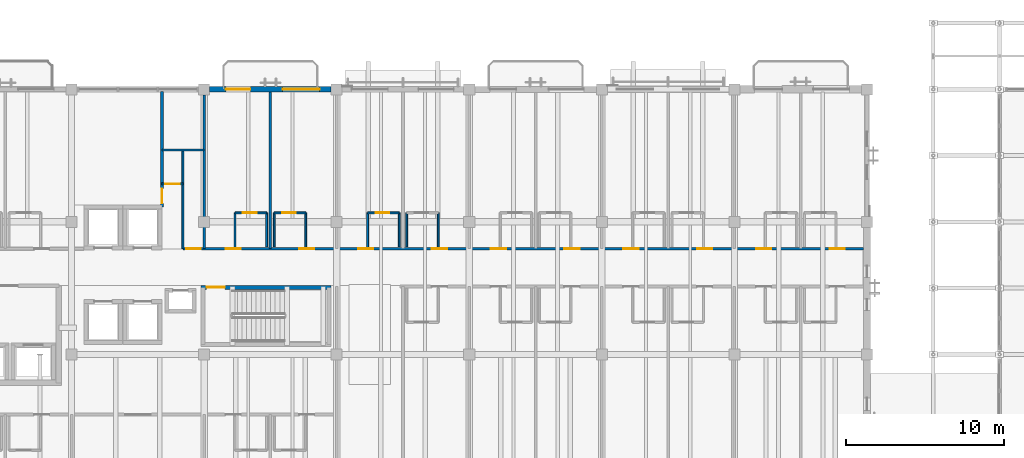
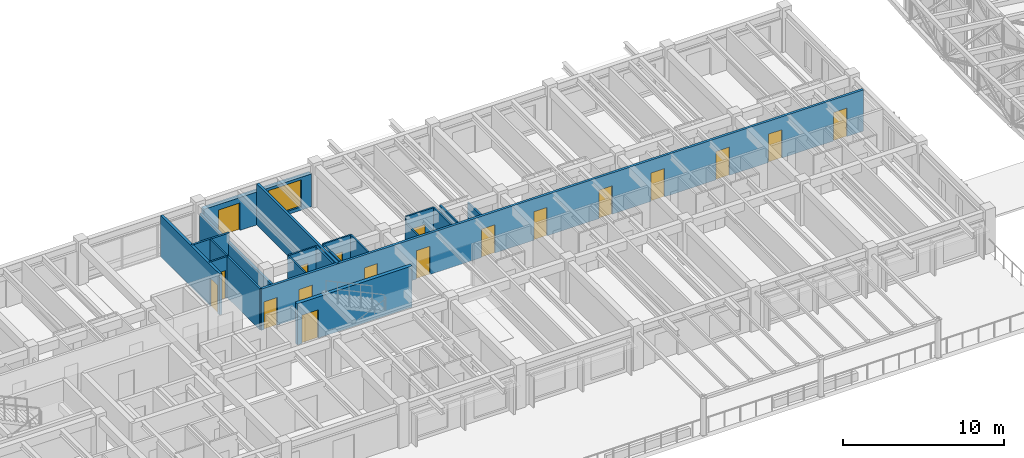
# One storey, part 91 of 111: 20 walls, 18 doors, 1 window, 19 openings.
"""IFC4 building model written with IfcOpenShell, lengths in metres."""

from ifc_helpers import new_model, si_unit, direction, frame, frame_2d, origin, place, context, subcontext, project, spatial, rectangle, extrude, material, layer, layer_set, type_object, element, fill, save


model = new_model("IFC4")

# Units and contexts
model_context = context("Model", 3, precision=1e-05, world=origin(), true_north=direction((0.0, 1.0)))
body_context = subcontext(model_context, "Body", "Model", "MODEL_VIEW")
ifc_project = project(units=[si_unit("LENGTHUNIT", "METRE"), si_unit("AREAUNIT", "SQUARE_METRE"), si_unit("VOLUMEUNIT", "CUBIC_METRE"), si_unit("PLANEANGLEUNIT", "RADIAN"), si_unit("MASSUNIT", "GRAM", prefix="KILO")], contexts=[model_context])

# Site, building, storey
site_placement = place(None, origin())
site = spatial("IfcSite", under=ifc_project, at=site_placement, CompositionType="ELEMENT")
building_placement = place(site_placement, origin())
building = spatial("IfcBuilding", under=site, at=building_placement, Name="Cumbredor Promenade Congress Hotel", CompositionType="ELEMENT")
storey_placement = place(building_placement, frame((0.0, 0.0, 15.1201171875)))
storey = spatial("IfcBuildingStorey", under=building, at=storey_placement, Name="L04", CompositionType="ELEMENT", Elevation=15.1201171875)

# Wall, opening, door
ifc_material_1 = material(Name="Moisture-resistant gypsum board on steel studs", Category="steel")
ifc_layer_1 = layer(ifc_material_1, 0.114990234375, Name="Moisture-resistant gypsum board on steel studs", Category="steel")
ifc_layer_set_1 = layer_set([ifc_layer_1], Name="Moisture-resistant gypsum board on steel studs")
wall_type_1 = type_object("IfcWallType", Name="WL-BATH-115", PredefinedType="PARTITIONING", material=ifc_layer_set_1)
wall_1_placement = place(storey_placement, frame((43.9599609375, 109.77001953125, 0.0), z_axis=(0.0, 0.0, 1.0), x_axis=(1.0, 0.0, 0.0)))
wall_1 = element("IfcWall", 1, at=wall_1_placement, inside=storey, type_object=wall_type_1, Name="L04 Interior Partition W-L04-BH-0408", PredefinedType="PARTITIONING", context=body_context, shape_type="SweptSolid", body=[
    extrude(rectangle(XDim=2.0, YDim=0.114990234375, at=frame_2d((1.0, 0.0))), origin(), (0.0, 0.0, 1.0), 3.119873046875),
])
opening_1_placement = place(wall_1_placement, frame((0.5, 0.0, 0.0)))
opening_1 = element("IfcOpeningElement", 2, at=opening_1_placement, cuts=wall_1, Name="Opening ID-01", PredefinedType="OPENING", context=body_context, shape_type="SweptSolid", body=[
    extrude(rectangle(XDim=0.860107421875, YDim=2.050048828125, at=frame_2d((0.43017578125, 1.02490234375))), frame((0.0, 0.0673828125, 0.0), z_axis=(0.0, -1.0, 0.0), x_axis=(1.0, 0.0, 0.0)), (0.0, 0.0, 1.0), 0.135009765625),
])
ifc_material_2 = material(Name="Kiln-dried tropical hardwood", Category="wood")
door_type_1 = type_object("IfcDoorType", Name="DR-BATH-860", OperationType="NOTDEFINED", PredefinedType="DOOR", material=ifc_material_2)
door_1_placement = place(opening_1_placement, origin())
door_1 = element("IfcDoor", 3, at=door_1_placement, inside=storey, type_object=door_type_1, Name="L04 Interior Door W-L04-BH-0408-01", OperationType="SINGLE_SWING_LEFT", OverallHeight=2.050048828125, OverallWidth=0.860107421875, PredefinedType="DOOR", context=body_context, shape_type="SweptSolid", body=[
    extrude(rectangle(XDim=0.860107421875, YDim=2.050048828125, at=frame_2d((0.43017578125, 1.02490234375))), frame((0.0, 0.02490234375, 0.0), z_axis=(0.0, -1.0, 0.0), x_axis=(1.0, 0.0, 0.0)), (0.0, 0.0, 1.0), 0.050048828125),
])
fill(opening_1, door_1)

# Walls
for number, where, z_axis, x_axis, name in (
    (4, (43.9599609375, 107.6201171875, 0.0), (0.0, 0.0, 1.0), (0.0, 1.0, 0.0), "L04 Interior Partition W-L04-BV1-0408"),
    (5, (45.9599609375, 107.6201171875, 0.0), (0.0, 0.0, 1.0), (0.0, 1.0, 0.0), "L04 Interior Partition W-L04-BV2-0408"),
):
    element("IfcWall", number, at=place(storey_placement, frame(where, z_axis=z_axis, x_axis=x_axis)), inside=storey, type_object=wall_type_1, Name=name, PredefinedType="PARTITIONING", context=body_context, shape_type="SweptSolid", body=[
        extrude(rectangle(XDim=2.14990234375, YDim=0.114990234375, at=frame_2d((1.074951171875, 0.0))), origin(), (0.0, 0.0, 1.0), 3.119873046875),
    ])

# Wall, opening, door
wall_2_placement = place(storey_placement, frame((46.43994140625, 109.77001953125, 0.0), z_axis=(0.0, 0.0, 1.0), x_axis=(1.0, 0.0, 0.0)))
wall_2 = element("IfcWall", 6, at=wall_2_placement, inside=storey, type_object=wall_type_1, Name="L04 Interior Partition W-L04-BH-0409", PredefinedType="PARTITIONING", context=body_context, shape_type="SweptSolid", body=[
    extrude(rectangle(XDim=2.0, YDim=0.114990234375, at=frame_2d((1.0, 0.0))), origin(), (0.0, 0.0, 1.0), 3.119873046875),
])
opening_2_placement = place(wall_2_placement, frame((0.5, 0.0, 0.0)))
opening_2 = element("IfcOpeningElement", 7, at=opening_2_placement, cuts=wall_2, Name="Opening ID-01", PredefinedType="OPENING", context=body_context, shape_type="SweptSolid", body=[
    extrude(rectangle(XDim=0.860107421875, YDim=2.050048828125, at=frame_2d((0.43017578125, 1.02490234375))), frame((0.0, 0.0673828125, 0.0), z_axis=(0.0, -1.0, 0.0), x_axis=(1.0, 0.0, 0.0)), (0.0, 0.0, 1.0), 0.135009765625),
])
door_2_placement = place(opening_2_placement, origin())
door_2 = element("IfcDoor", 8, at=door_2_placement, inside=storey, type_object=door_type_1, Name="L04 Interior Door W-L04-BH-0409-01", OperationType="SINGLE_SWING_RIGHT", OverallHeight=2.050048828125, OverallWidth=0.860107421875, PredefinedType="DOOR", context=body_context, shape_type="SweptSolid", body=[
    extrude(rectangle(XDim=0.860107421875, YDim=2.050048828125, at=frame_2d((0.43017578125, 1.02490234375))), frame((0.0, 0.02490234375, 0.0), z_axis=(0.0, -1.0, 0.0), x_axis=(1.0, 0.0, 0.0)), (0.0, 0.0, 1.0), 0.050048828125),
])
fill(opening_2, door_2)

# Walls
for number, where, z_axis, x_axis, name in (
    (9, (46.43994140625, 107.6201171875, 0.0), (0.0, 0.0, 1.0), (0.0, 1.0, 0.0), "L04 Interior Partition W-L04-BV1-0409"),
    (10, (48.43994140625, 107.6201171875, 0.0), (0.0, 0.0, 1.0), (0.0, 1.0, 0.0), "L04 Interior Partition W-L04-BV2-0409"),
):
    element("IfcWall", number, at=place(storey_placement, frame(where, z_axis=z_axis, x_axis=x_axis)), inside=storey, type_object=wall_type_1, Name=name, PredefinedType="PARTITIONING", context=body_context, shape_type="SweptSolid", body=[
        extrude(rectangle(XDim=2.14990234375, YDim=0.114990234375, at=frame_2d((1.074951171875, 0.0))), origin(), (0.0, 0.0, 1.0), 3.119873046875),
    ])

# Wall, opening, door
wall_3_placement = place(storey_placement, frame((52.360107421875, 109.77001953125, 0.0), z_axis=(0.0, 0.0, 1.0), x_axis=(1.0, 0.0, 0.0)))
wall_3 = element("IfcWall", 11, at=wall_3_placement, inside=storey, type_object=wall_type_1, Name="L04 Interior Partition W-L04-BH-0410", PredefinedType="PARTITIONING", context=body_context, shape_type="SweptSolid", body=[
    extrude(rectangle(XDim=2.0, YDim=0.114990234375, at=frame_2d((1.0, 0.0))), origin(), (0.0, 0.0, 1.0), 3.119873046875),
])
opening_3_placement = place(wall_3_placement, frame((0.5, 0.0, 0.0)))
opening_3 = element("IfcOpeningElement", 12, at=opening_3_placement, cuts=wall_3, Name="Opening ID-01", PredefinedType="OPENING", context=body_context, shape_type="SweptSolid", body=[
    extrude(rectangle(XDim=0.860107421875, YDim=2.050048828125, at=frame_2d((0.43017578125, 1.02490234375))), frame((0.0, 0.0673828125, 0.0), z_axis=(0.0, -1.0, 0.0), x_axis=(1.0, 0.0, 0.0)), (0.0, 0.0, 1.0), 0.135009765625),
])
door_3_placement = place(opening_3_placement, origin())
door_3 = element("IfcDoor", 13, at=door_3_placement, inside=storey, type_object=door_type_1, Name="L04 Interior Door W-L04-BH-0410-01", OperationType="SINGLE_SWING_LEFT", OverallHeight=2.050048828125, OverallWidth=0.860107421875, PredefinedType="DOOR", context=body_context, shape_type="SweptSolid", body=[
    extrude(rectangle(XDim=0.860107421875, YDim=2.050048828125, at=frame_2d((0.43017578125, 1.02490234375))), frame((0.0, 0.02490234375, 0.0), z_axis=(0.0, -1.0, 0.0), x_axis=(1.0, 0.0, 0.0)), (0.0, 0.0, 1.0), 0.050048828125),
])
fill(opening_3, door_3)

# Walls
wall_4_placement = place(storey_placement, frame((52.360107421875, 107.6201171875, 0.0), z_axis=(0.0, 0.0, 1.0), x_axis=(0.0, 1.0, 0.0)))
element("IfcWall", 14, at=wall_4_placement, inside=storey, type_object=wall_type_1, Name="L04 Interior Partition W-L04-BV1-0410", PredefinedType="PARTITIONING", context=body_context, shape_type="SweptSolid", body=[
    extrude(rectangle(XDim=2.14990234375, YDim=0.114990234375, at=frame_2d((1.074951171875, 0.0))), origin(), (0.0, 0.0, 1.0), 2.641845703125),
])
for number, where, z_axis, x_axis, name in (
    (15, (54.360107421875, 107.6201171875, 0.0), (0.0, 0.0, 1.0), (0.0, 1.0, 0.0), "L04 Interior Partition W-L04-BV2-0410"),
    (16, (54.840087890625, 107.6201171875, 0.0), (0.0, 0.0, 1.0), (0.0, 1.0, 0.0), "L04 Interior Partition W-L04-BV1-0411"),
):
    element("IfcWall", number, at=place(storey_placement, frame(where, z_axis=z_axis, x_axis=x_axis)), inside=storey, type_object=wall_type_1, Name=name, PredefinedType="PARTITIONING", context=body_context, shape_type="SweptSolid", body=[
        extrude(rectangle(XDim=2.14990234375, YDim=0.114990234375, at=frame_2d((1.074951171875, 0.0))), origin(), (0.0, 0.0, 1.0), 3.119873046875),
    ])
wall_5_placement = place(storey_placement, frame((56.840087890625, 107.6201171875, 0.0), z_axis=(0.0, 0.0, 1.0), x_axis=(0.0, 1.0, 0.0)))
element("IfcWall", 17, at=wall_5_placement, inside=storey, type_object=wall_type_1, Name="L04 Interior Partition W-L04-BV2-0411", PredefinedType="PARTITIONING", context=body_context, shape_type="SweptSolid", body=[
    extrude(rectangle(XDim=2.14990234375, YDim=0.114990234375, at=frame_2d((1.074951171875, 0.0))), origin(), (0.0, 0.0, 1.0), 2.641845703125),
])

# Wall, openings, doors
ifc_material_3 = material(Name="Fire-rated hotel corridor wall")
ifc_layer_2 = layer(ifc_material_3, 0.179931640625, Name="Fire-rated hotel corridor wall")
ifc_layer_set_2 = layer_set([ifc_layer_2], Name="Fire-rated hotel corridor wall")
wall_type_2 = type_object("IfcWallType", Name="WL-CORR-180", PredefinedType="PARTITIONING", material=ifc_layer_set_2)
wall_6_placement = place(storey_placement, frame((40.659912109375, 107.5, 0.0), z_axis=(0.0, 0.0, 1.0), x_axis=(1.0, 0.0, 0.0)))
wall_6 = element("IfcWall", 18, at=wall_6_placement, inside=storey, type_object=wall_type_2, Name="L04 Interior Partition W-L04-CORR-NE", PredefinedType="PARTITIONING", context=body_context, shape_type="SweptSolid", body=[
    extrude(rectangle(XDim=43.114990234375, YDim=0.179931640625, at=frame_2d((21.5576171875, 0.0))), origin(), (0.0, 0.0, 1.0), 3.119873046875),
])
opening_4_placement = place(wall_6_placement, frame((0.199951171875, 0.0, 0.0)))
opening_4 = element("IfcOpeningElement", 19, at=opening_4_placement, cuts=wall_6, Name="Opening FD-03", PredefinedType="OPENING", context=body_context, shape_type="SweptSolid", body=[
    extrude(rectangle(XDim=0.93994140625, YDim=2.10009765625, at=frame_2d((0.469970703125, 1.050048828125))), frame((0.0, 0.10009765625, 0.0), z_axis=(0.0, -1.0, 0.0), x_axis=(1.0, 0.0, 0.0)), (0.0, 0.0, 1.0), 0.199951171875),
])
opening_5_placement = place(wall_6_placement, frame((2.7099609375, 0.0, 0.0)))
opening_5 = element("IfcOpeningElement", 20, at=opening_5_placement, cuts=wall_6, Name="Opening FD-01", PredefinedType="OPENING", context=body_context, shape_type="SweptSolid", body=[
    extrude(rectangle(XDim=0.9599609375, YDim=2.14990234375, at=frame_2d((0.47998046875, 1.074951171875))), frame((0.0, 0.10009765625, 0.0), z_axis=(0.0, -1.0, 0.0), x_axis=(1.0, 0.0, 0.0)), (0.0, 0.0, 1.0), 0.199951171875),
])
opening_6_placement = place(wall_6_placement, frame((7.3701171875, 0.0, 0.0)))
opening_6 = element("IfcOpeningElement", 21, at=opening_6_placement, cuts=wall_6, Name="Opening FD-01", PredefinedType="OPENING", context=body_context, shape_type="SweptSolid", body=[
    extrude(rectangle(XDim=0.9599609375, YDim=2.14990234375, at=frame_2d((0.47998046875, 1.074951171875))), frame((0.0, 0.10009765625, 0.0), z_axis=(0.0, -1.0, 0.0), x_axis=(1.0, 0.0, 0.0)), (0.0, 0.0, 1.0), 0.199951171875),
])
opening_7_placement = place(wall_6_placement, frame((11.110107421875, 0.0, 0.0)))
opening_7 = element("IfcOpeningElement", 22, at=opening_7_placement, cuts=wall_6, Name="Opening FD-01", PredefinedType="OPENING", context=body_context, shape_type="SweptSolid", body=[
    extrude(rectangle(XDim=0.9599609375, YDim=2.14990234375, at=frame_2d((0.47998046875, 1.074951171875))), frame((0.0, 0.10009765625, 0.0), z_axis=(0.0, -1.0, 0.0), x_axis=(1.0, 0.0, 0.0)), (0.0, 0.0, 1.0), 0.199951171875),
])
opening_8_placement = place(wall_6_placement, frame((15.77001953125, 0.0, 0.0)))
opening_8 = element("IfcOpeningElement", 23, at=opening_8_placement, cuts=wall_6, Name="Opening FD-01", PredefinedType="OPENING", context=body_context, shape_type="SweptSolid", body=[
    extrude(rectangle(XDim=0.9599609375, YDim=2.14990234375, at=frame_2d((0.47998046875, 1.074951171875))), frame((0.0, 0.10009765625, 0.0), z_axis=(0.0, -1.0, 0.0), x_axis=(1.0, 0.0, 0.0)), (0.0, 0.0, 1.0), 0.199951171875),
])
opening_9_placement = place(wall_6_placement, frame((19.510009765625, 0.0, 0.0)))
opening_9 = element("IfcOpeningElement", 24, at=opening_9_placement, cuts=wall_6, Name="Opening FD-01", PredefinedType="OPENING", context=body_context, shape_type="SweptSolid", body=[
    extrude(rectangle(XDim=0.9599609375, YDim=2.14990234375, at=frame_2d((0.47998046875, 1.074951171875))), frame((0.0, 0.10009765625, 0.0), z_axis=(0.0, -1.0, 0.0), x_axis=(1.0, 0.0, 0.0)), (0.0, 0.0, 1.0), 0.199951171875),
])
opening_10_placement = place(wall_6_placement, frame((24.169921875, 0.0, 0.0)))
opening_10 = element("IfcOpeningElement", 25, at=opening_10_placement, cuts=wall_6, Name="Opening FD-01", PredefinedType="OPENING", context=body_context, shape_type="SweptSolid", body=[
    extrude(rectangle(XDim=0.9599609375, YDim=2.14990234375, at=frame_2d((0.47998046875, 1.074951171875))), frame((0.0, 0.10009765625, 0.0), z_axis=(0.0, -1.0, 0.0), x_axis=(1.0, 0.0, 0.0)), (0.0, 0.0, 1.0), 0.199951171875),
])
opening_11_placement = place(wall_6_placement, frame((27.909912109375, 0.0, 0.0)))
opening_11 = element("IfcOpeningElement", 26, at=opening_11_placement, cuts=wall_6, Name="Opening FD-01", PredefinedType="OPENING", context=body_context, shape_type="SweptSolid", body=[
    extrude(rectangle(XDim=0.9599609375, YDim=2.14990234375, at=frame_2d((0.47998046875, 1.074951171875))), frame((0.0, 0.10009765625, 0.0), z_axis=(0.0, -1.0, 0.0), x_axis=(1.0, 0.0, 0.0)), (0.0, 0.0, 1.0), 0.199951171875),
])
opening_12_placement = place(wall_6_placement, frame((32.570068359375, 0.0, 0.0)))
opening_12 = element("IfcOpeningElement", 27, at=opening_12_placement, cuts=wall_6, Name="Opening FD-01", PredefinedType="OPENING", context=body_context, shape_type="SweptSolid", body=[
    extrude(rectangle(XDim=0.9599609375, YDim=2.14990234375, at=frame_2d((0.47998046875, 1.074951171875))), frame((0.0, 0.10009765625, 0.0), z_axis=(0.0, -1.0, 0.0), x_axis=(1.0, 0.0, 0.0)), (0.0, 0.0, 1.0), 0.199951171875),
])
opening_13_placement = place(wall_6_placement, frame((36.31005859375, 0.0, 0.0)))
opening_13 = element("IfcOpeningElement", 28, at=opening_13_placement, cuts=wall_6, Name="Opening FD-01", PredefinedType="OPENING", context=body_context, shape_type="SweptSolid", body=[
    extrude(rectangle(XDim=0.9599609375, YDim=2.14990234375, at=frame_2d((0.47998046875, 1.074951171875))), frame((0.0, 0.10009765625, 0.0), z_axis=(0.0, -1.0, 0.0), x_axis=(1.0, 0.0, 0.0)), (0.0, 0.0, 1.0), 0.199951171875),
])
opening_14_placement = place(wall_6_placement, frame((40.969970703125, 0.0, 0.0)))
opening_14 = element("IfcOpeningElement", 29, at=opening_14_placement, cuts=wall_6, Name="Opening FD-01", PredefinedType="OPENING", context=body_context, shape_type="SweptSolid", body=[
    extrude(rectangle(XDim=0.9599609375, YDim=2.14990234375, at=frame_2d((0.47998046875, 1.074951171875))), frame((0.0, 0.10009765625, 0.0), z_axis=(0.0, -1.0, 0.0), x_axis=(1.0, 0.0, 0.0)), (0.0, 0.0, 1.0), 0.199951171875),
])
ifc_material_4 = material(Name="Solid-core fire-rated tropical hardwood", Category="wood")
door_type_2 = type_object("IfcDoorType", Name="DR-GUEST-FD30-950", OperationType="NOTDEFINED", PredefinedType="DOOR", material=ifc_material_4)
door_4_placement = place(opening_5_placement, origin())
door_4 = element("IfcDoor", 30, at=door_4_placement, inside=storey, type_object=door_type_2, Name="L04 Interior Door W-L04-CORR-NE-02", OperationType="SINGLE_SWING_RIGHT", OverallHeight=2.14990234375, OverallWidth=0.9599609375, PredefinedType="DOOR", context=body_context, shape_type="SweptSolid", body=[
    extrude(rectangle(XDim=0.9599609375, YDim=2.14990234375, at=frame_2d((0.47998046875, 1.074951171875))), frame((0.0, 0.02490234375, 0.0), z_axis=(0.0, -1.0, 0.0), x_axis=(1.0, 0.0, 0.0)), (0.0, 0.0, 1.0), 0.050048828125),
])
fill(opening_5, door_4)
door_5_placement = place(opening_6_placement, origin())
door_5 = element("IfcDoor", 31, at=door_5_placement, inside=storey, type_object=door_type_2, Name="L04 Interior Door W-L04-CORR-NE-03", OperationType="SINGLE_SWING_LEFT", OverallHeight=2.14990234375, OverallWidth=0.9599609375, PredefinedType="DOOR", context=body_context, shape_type="SweptSolid", body=[
    extrude(rectangle(XDim=0.9599609375, YDim=2.14990234375, at=frame_2d((0.47998046875, 1.074951171875))), frame((0.0, 0.02490234375, 0.0), z_axis=(0.0, -1.0, 0.0), x_axis=(1.0, 0.0, 0.0)), (0.0, 0.0, 1.0), 0.050048828125),
])
fill(opening_6, door_5)
door_6_placement = place(opening_7_placement, origin())
door_6 = element("IfcDoor", 32, at=door_6_placement, inside=storey, type_object=door_type_2, Name="L04 Interior Door W-L04-CORR-NE-04", OperationType="SINGLE_SWING_RIGHT", OverallHeight=2.14990234375, OverallWidth=0.9599609375, PredefinedType="DOOR", context=body_context, shape_type="SweptSolid", body=[
    extrude(rectangle(XDim=0.9599609375, YDim=2.14990234375, at=frame_2d((0.47998046875, 1.074951171875))), frame((0.0, 0.02490234375, 0.0), z_axis=(0.0, -1.0, 0.0), x_axis=(1.0, 0.0, 0.0)), (0.0, 0.0, 1.0), 0.050048828125),
])
fill(opening_7, door_6)
door_7_placement = place(opening_8_placement, origin())
door_7 = element("IfcDoor", 33, at=door_7_placement, inside=storey, type_object=door_type_2, Name="L04 Interior Door W-L04-CORR-NE-05", OperationType="SINGLE_SWING_LEFT", OverallHeight=2.14990234375, OverallWidth=0.9599609375, PredefinedType="DOOR", context=body_context, shape_type="SweptSolid", body=[
    extrude(rectangle(XDim=0.9599609375, YDim=2.14990234375, at=frame_2d((0.47998046875, 1.074951171875))), frame((0.0, 0.02490234375, 0.0), z_axis=(0.0, -1.0, 0.0), x_axis=(1.0, 0.0, 0.0)), (0.0, 0.0, 1.0), 0.050048828125),
])
fill(opening_8, door_7)
door_8_placement = place(opening_9_placement, origin())
door_8 = element("IfcDoor", 34, at=door_8_placement, inside=storey, type_object=door_type_2, Name="L04 Interior Door W-L04-CORR-NE-06", OperationType="SINGLE_SWING_RIGHT", OverallHeight=2.14990234375, OverallWidth=0.9599609375, PredefinedType="DOOR", context=body_context, shape_type="SweptSolid", body=[
    extrude(rectangle(XDim=0.9599609375, YDim=2.14990234375, at=frame_2d((0.47998046875, 1.074951171875))), frame((0.0, 0.02490234375, 0.0), z_axis=(0.0, -1.0, 0.0), x_axis=(1.0, 0.0, 0.0)), (0.0, 0.0, 1.0), 0.050048828125),
])
fill(opening_9, door_8)
door_9_placement = place(opening_10_placement, origin())
door_9 = element("IfcDoor", 35, at=door_9_placement, inside=storey, type_object=door_type_2, Name="L04 Interior Door W-L04-CORR-NE-07", OperationType="SINGLE_SWING_LEFT", OverallHeight=2.14990234375, OverallWidth=0.9599609375, PredefinedType="DOOR", context=body_context, shape_type="SweptSolid", body=[
    extrude(rectangle(XDim=0.9599609375, YDim=2.14990234375, at=frame_2d((0.47998046875, 1.074951171875))), frame((0.0, 0.02490234375, 0.0), z_axis=(0.0, -1.0, 0.0), x_axis=(1.0, 0.0, 0.0)), (0.0, 0.0, 1.0), 0.050048828125),
])
fill(opening_10, door_9)
door_10_placement = place(opening_11_placement, origin())
door_10 = element("IfcDoor", 36, at=door_10_placement, inside=storey, type_object=door_type_2, Name="L04 Interior Door W-L04-CORR-NE-08", OperationType="SINGLE_SWING_RIGHT", OverallHeight=2.14990234375, OverallWidth=0.9599609375, PredefinedType="DOOR", context=body_context, shape_type="SweptSolid", body=[
    extrude(rectangle(XDim=0.9599609375, YDim=2.14990234375, at=frame_2d((0.47998046875, 1.074951171875))), frame((0.0, 0.02490234375, 0.0), z_axis=(0.0, -1.0, 0.0), x_axis=(1.0, 0.0, 0.0)), (0.0, 0.0, 1.0), 0.050048828125),
])
fill(opening_11, door_10)
door_11_placement = place(opening_12_placement, origin())
door_11 = element("IfcDoor", 37, at=door_11_placement, inside=storey, type_object=door_type_2, Name="L04 Interior Door W-L04-CORR-NE-09", OperationType="SINGLE_SWING_LEFT", OverallHeight=2.14990234375, OverallWidth=0.9599609375, PredefinedType="DOOR", context=body_context, shape_type="SweptSolid", body=[
    extrude(rectangle(XDim=0.9599609375, YDim=2.14990234375, at=frame_2d((0.47998046875, 1.074951171875))), frame((0.0, 0.02490234375, 0.0), z_axis=(0.0, -1.0, 0.0), x_axis=(1.0, 0.0, 0.0)), (0.0, 0.0, 1.0), 0.050048828125),
])
fill(opening_12, door_11)
door_12_placement = place(opening_13_placement, origin())
door_12 = element("IfcDoor", 38, at=door_12_placement, inside=storey, type_object=door_type_2, Name="L04 Interior Door W-L04-CORR-NE-10", OperationType="SINGLE_SWING_RIGHT", OverallHeight=2.14990234375, OverallWidth=0.9599609375, PredefinedType="DOOR", context=body_context, shape_type="SweptSolid", body=[
    extrude(rectangle(XDim=0.9599609375, YDim=2.14990234375, at=frame_2d((0.47998046875, 1.074951171875))), frame((0.0, 0.02490234375, 0.0), z_axis=(0.0, -1.0, 0.0), x_axis=(1.0, 0.0, 0.0)), (0.0, 0.0, 1.0), 0.050048828125),
])
fill(opening_13, door_12)
door_13_placement = place(opening_14_placement, origin())
door_13 = element("IfcDoor", 39, at=door_13_placement, inside=storey, type_object=door_type_2, Name="L04 Interior Door W-L04-CORR-NE-11", OperationType="SINGLE_SWING_LEFT", OverallHeight=2.14990234375, OverallWidth=0.9599609375, PredefinedType="DOOR", context=body_context, shape_type="SweptSolid", body=[
    extrude(rectangle(XDim=0.9599609375, YDim=2.14990234375, at=frame_2d((0.47998046875, 1.074951171875))), frame((0.0, 0.02490234375, 0.0), z_axis=(0.0, -1.0, 0.0), x_axis=(1.0, 0.0, 0.0)), (0.0, 0.0, 1.0), 0.050048828125),
])
fill(opening_14, door_13)
ifc_material_5 = material(Name="Painted galvanized steel fire door", Category="steel")
door_type_3 = type_object("IfcDoorType", Name="DR-SGL-FD60-950", OperationType="NOTDEFINED", PredefinedType="DOOR", material=ifc_material_5)
door_14_placement = place(opening_4_placement, origin())
door_14 = element("IfcDoor", 40, at=door_14_placement, inside=storey, type_object=door_type_3, Name="L04 Interior Door W-L04-CORR-NE-01", OperationType="SINGLE_SWING_RIGHT", OverallHeight=2.10009765625, OverallWidth=0.93994140625, PredefinedType="DOOR", context=body_context, shape_type="SweptSolid", body=[
    extrude(rectangle(XDim=0.93994140625, YDim=2.10009765625, at=frame_2d((0.469970703125, 1.050048828125))), frame((0.0, 0.02490234375, 0.0), z_axis=(0.0, -1.0, 0.0), x_axis=(1.0, 0.0, 0.0)), (0.0, 0.0, 1.0), 0.050048828125),
])
fill(opening_4, door_14)

# Wall, opening, door
wall_7_placement = place(storey_placement, frame((39.330078125, 110.14990234375, 0.0), z_axis=(0.0, 0.0, 1.0), x_axis=(0.0, 1.0, 0.0)))
wall_7 = element("IfcWall", 41, at=wall_7_placement, inside=storey, type_object=wall_type_2, Name="L04 Interior Partition W-L04-SALON-E", PredefinedType="PARTITIONING", context=body_context, shape_type="SweptSolid", body=[
    extrude(rectangle(XDim=7.300048828125, YDim=0.179931640625, at=frame_2d((3.64990234375, 0.0))), origin(), (0.0, 0.0, 1.0), 3.119873046875),
])
opening_15_placement = place(wall_7_placement, frame((0.219970703125, 0.0, 0.0)))
opening_15 = element("IfcOpeningElement", 42, at=opening_15_placement, cuts=wall_7, Name="Opening FD-03", PredefinedType="OPENING", context=body_context, shape_type="SweptSolid", body=[
    extrude(rectangle(XDim=0.93994140625, YDim=2.10009765625, at=frame_2d((0.469970703125, 1.050048828125))), frame((0.0, 0.10009765625, 0.0), z_axis=(0.0, -1.0, 0.0), x_axis=(1.0, 0.0, 0.0)), (0.0, 0.0, 1.0), 0.199951171875),
])
door_15_placement = place(opening_15_placement, origin())
door_15 = element("IfcDoor", 43, at=door_15_placement, inside=storey, type_object=door_type_3, Name="L04 Interior Door W-L04-SALON-E-01", OperationType="SINGLE_SWING_LEFT", OverallHeight=2.10009765625, OverallWidth=0.93994140625, PredefinedType="DOOR", context=body_context, shape_type="SweptSolid", body=[
    extrude(rectangle(XDim=0.93994140625, YDim=2.10009765625, at=frame_2d((0.469970703125, 1.050048828125))), frame((0.0, 0.02490234375, 0.0), z_axis=(0.0, -1.0, 0.0), x_axis=(1.0, 0.0, 0.0)), (0.0, 0.0, 1.0), 0.050048828125),
])
fill(opening_15, door_15)

# Wall, openings, door, window
ifc_material_6 = material(Name="Concrete C40/50", Category="concrete")
ifc_layer_3 = layer(ifc_material_6, 0.324951171875, Name="Concrete C40/50", Category="concrete")
ifc_layer_set_3 = layer_set([ifc_layer_3], Name="Concrete C40/50")
wall_type_3 = type_object("IfcWallType", Name="WL-EXT-325", PredefinedType="SOLIDWALL", material=ifc_layer_set_3)
wall_8_placement = place(storey_placement, frame((42.35107421875, 117.60009765625, 0.0), z_axis=(0.0, 0.0, 1.0), x_axis=(1.0, 0.0, 0.0)))
wall_8 = element("IfcWall", 44, at=wall_8_placement, inside=storey, type_object=wall_type_3, Name="L04 Stepped Congress Hotel Wing North Envelope Wall 6", PredefinedType="SOLIDWALL", context=body_context, shape_type="SweptSolid", body=[
    extrude(rectangle(XDim=7.697998046875, YDim=0.324951171875, at=frame_2d((3.84912109375, 0.0))), origin(), (0.0, 0.0, 1.0), 2.493896484375),
])
opening_16_placement = place(wall_8_placement, frame((1.02392578125, 0.0, 0.0)))
opening_16 = element("IfcOpeningElement", 45, at=opening_16_placement, cuts=wall_8, Name="Opening TD-01", PredefinedType="OPENING", context=body_context, shape_type="SweptSolid", body=[
    extrude(rectangle(XDim=1.550048828125, YDim=2.080078125, at=frame_2d((0.77490234375, 1.0400390625))), frame((0.0, 0.17236328125, 0.0), z_axis=(0.0, -1.0, 0.0), x_axis=(1.0, 0.0, 0.0)), (0.0, 0.0, 1.0), 0.344970703125),
])
opening_17_placement = place(wall_8_placement, frame((4.6240234375, 0.0, 0.25)))
opening_17 = element("IfcOpeningElement", 46, at=opening_17_placement, cuts=wall_8, Name="Opening WN-14", PredefinedType="OPENING", context=body_context, shape_type="SweptSolid", body=[
    extrude(rectangle(XDim=2.35009765625, YDim=2.050048828125, at=frame_2d((1.175048828125, 1.02490234375))), frame((0.0, 0.17236328125, 0.0), z_axis=(0.0, -1.0, 0.0), x_axis=(1.0, 0.0, 0.0)), (0.0, 0.0, 1.0), 0.344970703125),
])
ifc_material_7 = material(Name="Thermally broken anodized aluminium and laminated safety glass", Category="aluminium")
door_type_4 = type_object("IfcDoorType", Name="EXT-DR-TER-1550x2080", OperationType="DOUBLE_DOOR_SINGLE_SWING", PredefinedType="DOOR", material=ifc_material_7)
door_16_placement = place(opening_16_placement, origin())
door_16 = element("IfcDoor", 47, at=door_16_placement, inside=storey, type_object=door_type_4, Name="L04 Guestroom Veranda Balcony Door 054", OperationType="DOUBLE_DOOR_SINGLE_SWING", OverallHeight=2.080078125, OverallWidth=1.550048828125, PredefinedType="DOOR", context=body_context, shape_type="SweptSolid", body=[
    extrude(rectangle(XDim=1.550048828125, YDim=2.080078125, at=frame_2d((0.77490234375, 1.0400390625))), frame((0.0, 0.02490234375, 0.0), z_axis=(0.0, -1.0, 0.0), x_axis=(1.0, 0.0, 0.0)), (0.0, 0.0, 1.0), 0.050048828125),
])
fill(opening_16, door_16)
ifc_material_8 = material(Name="Thermally broken anodized aluminium and low-E glass", Category="aluminium")
window_type = type_object("IfcWindowType", Name="Hospitality Floor-to-Ceiling Window WN-14 2350x2050", PartitioningType="DOUBLE_PANEL_VERTICAL", PredefinedType="WINDOW", material=ifc_material_8)
window_placement = place(opening_17_placement, origin())
window = element("IfcWindow", 48, at=window_placement, inside=storey, type_object=window_type, Name="L04 Veranda Companion Floor-to-Ceiling Window 0495", OverallHeight=2.050048828125, OverallWidth=2.35009765625, PartitioningType="DOUBLE_PANEL_VERTICAL", PredefinedType="WINDOW", context=body_context, shape_type="SweptSolid", body=[
    extrude(rectangle(XDim=2.35009765625, YDim=2.050048828125, at=frame_2d((1.175048828125, 1.02490234375))), frame((0.0, 0.030029296875, 0.0), z_axis=(0.0, -1.0, 0.0), x_axis=(1.0, 0.0, 0.0)), (0.0, 0.0, 1.0), 0.06005859375),
])
fill(opening_17, window)

# Wall, opening, door
ifc_material_9 = material(Name="Gypsum board on steel studs", Category="steel")
ifc_layer_4 = layer(ifc_material_9, 0.125, Name="Gypsum board on steel studs", Category="steel")
ifc_layer_set_4 = layer_set([ifc_layer_4], Name="Gypsum board on steel studs")
wall_type_4 = type_object("IfcWallType", Name="WL-PART-125", PredefinedType="PARTITIONING", material=ifc_layer_set_4)
wall_9_placement = place(storey_placement, frame((39.330078125, 111.60009765625, 0.0), z_axis=(0.0, 0.0, 1.0), x_axis=(1.0, 0.0, 0.0)))
wall_9 = element("IfcWall", 49, at=wall_9_placement, inside=storey, type_object=wall_type_4, Name="L04 Interior Partition W-L04-HK-S", PredefinedType="PARTITIONING", context=body_context, shape_type="SweptSolid", body=[
    extrude(rectangle(XDim=1.329833984375, YDim=0.125, at=frame_2d((0.6650390625, 0.0))), origin(), (0.0, 0.0, 1.0), 3.119873046875),
])
opening_18_placement = place(wall_9_placement, frame((0.195068359375, 0.0, 0.0)))
opening_18 = element("IfcOpeningElement", 50, at=opening_18_placement, cuts=wall_9, Name="Opening FD-03", PredefinedType="OPENING", context=body_context, shape_type="SweptSolid", body=[
    extrude(rectangle(XDim=0.93994140625, YDim=2.10009765625, at=frame_2d((0.469970703125, 1.050048828125))), frame((0.0, 0.072509765625, 0.0), z_axis=(0.0, -1.0, 0.0), x_axis=(1.0, 0.0, 0.0)), (0.0, 0.0, 1.0), 0.14501953125),
])
door_17_placement = place(opening_18_placement, origin())
door_17 = element("IfcDoor", 51, at=door_17_placement, inside=storey, type_object=door_type_3, Name="L04 Interior Door W-L04-HK-S-01", OperationType="SINGLE_SWING_LEFT", OverallHeight=2.10009765625, OverallWidth=0.93994140625, PredefinedType="DOOR", context=body_context, shape_type="SweptSolid", body=[
    extrude(rectangle(XDim=0.93994140625, YDim=2.10009765625, at=frame_2d((0.469970703125, 1.050048828125))), frame((0.0, 0.02490234375, 0.0), z_axis=(0.0, -1.0, 0.0), x_axis=(1.0, 0.0, 0.0)), (0.0, 0.0, 1.0), 0.050048828125),
])
fill(opening_18, door_17)

# Walls
wall_10_placement = place(storey_placement, frame((40.659912109375, 107.5, 0.0), z_axis=(0.0, 0.0, 1.0), x_axis=(0.0, 1.0, 0.0)))
element("IfcWall", 52, at=wall_10_placement, inside=storey, type_object=wall_type_4, Name="L04 Interior Partition W-L04-HK-DIV", PredefinedType="PARTITIONING", context=body_context, shape_type="SweptSolid", body=[
    extrude(rectangle(XDim=6.25, YDim=0.125, at=frame_2d((3.125, 0.0))), origin(), (0.0, 0.0, 1.0), 3.119873046875),
])
ifc_material_10 = material(Name="Acoustic gypsum partition on steel studs", Category="steel")
ifc_layer_5 = layer(ifc_material_10, 0.139892578125, Name="Acoustic gypsum partition on steel studs", Category="steel")
ifc_layer_set_5 = layer_set([ifc_layer_5], Name="Acoustic gypsum partition on steel studs")
wall_type_5 = type_object("IfcWallType", Name="WL-PART-140", PredefinedType="PARTITIONING", material=ifc_layer_set_5)
wall_11_placement = place(storey_placement, frame((39.330078125, 113.75, 0.0), z_axis=(0.0, 0.0, 1.0), x_axis=(1.0, 0.0, 0.0)))
element("IfcWall", 53, at=wall_11_placement, inside=storey, type_object=wall_type_5, Name="L04 Interior Partition W-L04-HK-N", PredefinedType="PARTITIONING", context=body_context, shape_type="SweptSolid", body=[
    extrude(rectangle(XDim=2.669921875, YDim=0.139892578125, at=frame_2d((1.3349609375, 0.0))), origin(), (0.0, 0.0, 1.0), 3.119873046875),
])

# Wall, opening, door
ifc_layer_6 = layer(ifc_material_6, 0.2548828125, Name="Concrete C40/50", Category="concrete")
ifc_layer_set_6 = layer_set([ifc_layer_6], Name="Concrete C40/50")
wall_type_6 = type_object("IfcWallType", Name="WL-SHAFT-250", PredefinedType="SOLIDWALL", material=ifc_layer_set_6)
wall_12_placement = place(storey_placement, frame((41.802490234375, 105.050048828125, 0.0), z_axis=(0.0, 0.0, 1.0), x_axis=(1.0, 0.0, 0.0)))
wall_12 = element("IfcWall", 54, at=wall_12_placement, inside=storey, type_object=wall_type_6, Name="STAIR-ST-03-L04 Shaft Wall North", PredefinedType="SOLIDWALL", context=body_context, shape_type="SweptSolid", body=[
    extrude(rectangle(XDim=8.22509765625, YDim=0.2548828125, at=frame_2d((4.112548828125, 0.0))), origin(), (0.0, 0.0, 1.0), 3.119873046875),
])
opening_19_placement = place(wall_12_placement, frame((0.35009765625, 0.0, 0.0)))
opening_19 = element("IfcOpeningElement", 55, at=opening_19_placement, cuts=wall_12, Name="Opening SD-01", PredefinedType="OPENING", context=body_context, shape_type="SweptSolid", body=[
    extrude(rectangle(XDim=1.159912109375, YDim=2.14990234375, at=frame_2d((0.580078125, 1.074951171875))), frame((0.0, 0.137451171875, 0.0), z_axis=(0.0, -1.0, 0.0), x_axis=(1.0, 0.0, 0.0)), (0.0, 0.0, 1.0), 0.27490234375),
])
door_type_5 = type_object("IfcDoorType", Name="DR-STAIR-FD90-1150", OperationType="NOTDEFINED", PredefinedType="DOOR", material=ifc_material_5)
door_18_placement = place(opening_19_placement, origin())
door_18 = element("IfcDoor", 56, at=door_18_placement, inside=storey, type_object=door_type_5, Name="L04 Protected Exit Stair ST-03 Door", OperationType="SINGLE_SWING_RIGHT", OverallHeight=2.14990234375, OverallWidth=1.159912109375, PredefinedType="DOOR", context=body_context, shape_type="SweptSolid", body=[
    extrude(rectangle(XDim=1.159912109375, YDim=2.14990234375, at=frame_2d((0.580078125, 1.074951171875))), frame((0.0, 0.02490234375, 0.0), z_axis=(0.0, -1.0, 0.0), x_axis=(1.0, 0.0, 0.0)), (0.0, 0.0, 1.0), 0.050048828125),
])
fill(opening_19, door_18)

# Walls
ifc_material_11 = material(Name="Fire-rated acoustic double-stud partition")
ifc_layer_7 = layer(ifc_material_11, 0.1650390625, Name="Fire-rated acoustic double-stud partition")
ifc_layer_set_7 = layer_set([ifc_layer_7], Name="Fire-rated acoustic double-stud partition")
wall_type_7 = type_object("IfcWallType", Name="WL-UNIT-165", PredefinedType="PARTITIONING", material=ifc_layer_set_7)
wall_13_placement = place(storey_placement, frame((46.199951171875, 107.5, 0.0), z_axis=(0.0, 0.0, 1.0), x_axis=(0.0, 1.0, 0.0)))
element("IfcWall", 57, at=wall_13_placement, inside=storey, type_object=wall_type_7, Name="L04 Interior Partition W-L04-N-DIV-5-M", PredefinedType="PARTITIONING", context=body_context, shape_type="SweptSolid", body=[
    extrude(rectangle(XDim=9.9375, YDim=0.1650390625, at=frame_2d((4.96875, 0.0))), origin(), (0.0, 0.0, 1.0), 3.119873046875),
])
wall_14_placement = place(storey_placement, frame((42.0, 107.5, 0.0), z_axis=(0.0, 0.0, 1.0), x_axis=(0.0, 1.0, 0.0)))
element("IfcWall", 58, at=wall_14_placement, inside=storey, type_object=wall_type_7, Name="L04 Interior Partition W-L04-N-DIV-5-G", PredefinedType="PARTITIONING", context=body_context, shape_type="SweptSolid", body=[
    extrude(rectangle(XDim=9.75, YDim=0.1650390625, at=frame_2d((4.875, 0.0))), origin(), (0.0, 0.0, 1.0), 2.454833984375),
])

save(model, "model.ifc")
